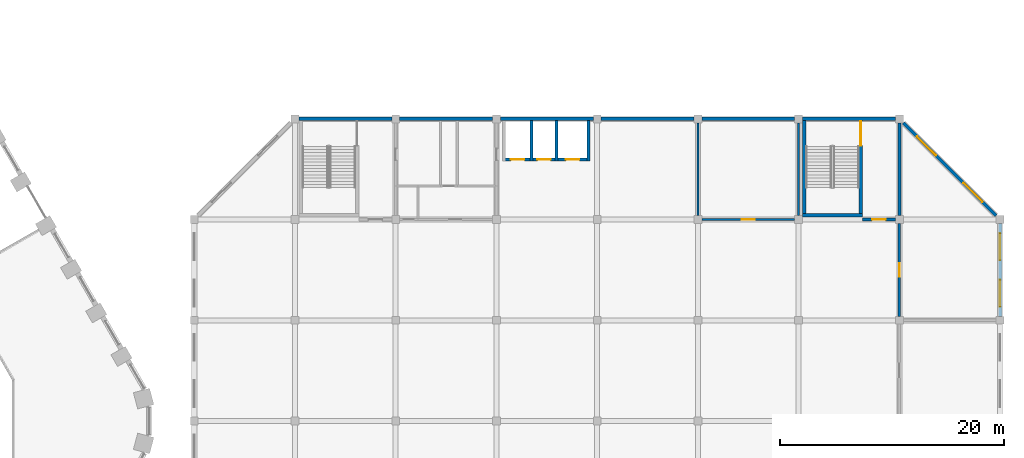
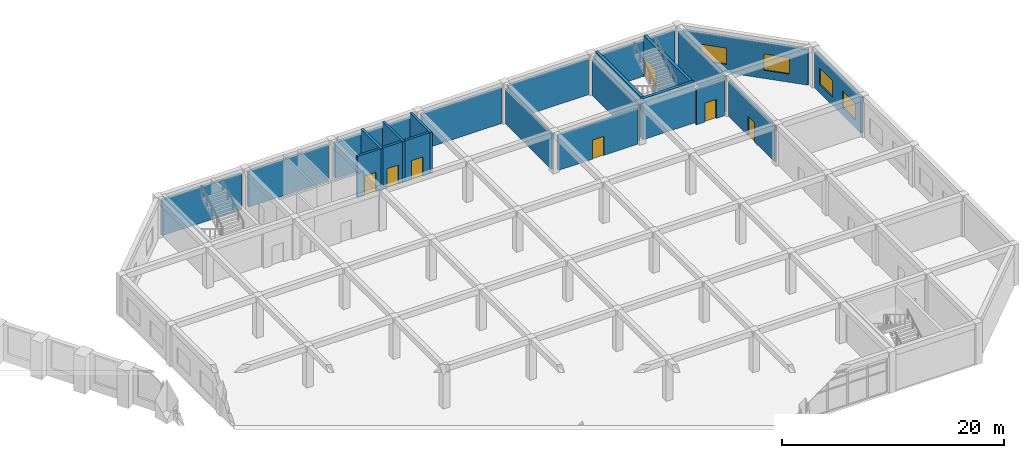
# One storey, part 28 of 42: 21 walls, 7 doors, 4 windows, 11 openings.
"""IFC4 building model written with IfcOpenShell, lengths in metres."""

from ifc_helpers import new_model, si_unit, direction, frame, frame_2d, origin, place, context, subcontext, project, spatial, rectangle, extrude, material, layer, layer_set, type_object, element, fill, save


model = new_model("IFC4")

# Units and contexts
model_context = context("Model", 3, precision=1e-05, world=origin(), true_north=direction((0.0, 1.0)))
body_context = subcontext(model_context, "Body", "Model", "MODEL_VIEW")
ifc_project = project(units=[si_unit("LENGTHUNIT", "METRE"), si_unit("AREAUNIT", "SQUARE_METRE"), si_unit("VOLUMEUNIT", "CUBIC_METRE"), si_unit("PLANEANGLEUNIT", "RADIAN"), si_unit("MASSUNIT", "GRAM", prefix="KILO")], contexts=[model_context])

# Site, building, storey
site_placement = place(None, origin())
site = spatial("IfcSite", under=ifc_project, at=site_placement, CompositionType="ELEMENT")
building_placement = place(site_placement, origin())
building = spatial("IfcBuilding", under=site, at=building_placement, Name="Dhurran Vertical Campus", CompositionType="ELEMENT")
storey_placement = place(building_placement, frame((0.0, 0.0, 6.0)))
storey = spatial("IfcBuildingStorey", under=building, at=storey_placement, Name="L01", CompositionType="ELEMENT", Elevation=6.0)

# Wall, openings, windows
ifc_material_1 = material(Name="Precast concrete C40/50", Category="concrete")
ifc_layer_1 = layer(ifc_material_1, 0.300048828125)
ifc_layer_set_1 = layer_set([ifc_layer_1], Name="Precast concrete C40/50")
wall_type_1 = type_object("IfcWallType", Name="hl-external wall precast 300", PredefinedType="SOLIDWALL", material=ifc_layer_set_1)
wall_1_placement = place(storey_placement, frame((133.5, 9.35009765625, 0.0), z_axis=(0.0, 0.0, 1.0), x_axis=(0.0, 1.0, 0.0)))
wall_1 = element("IfcWall", 1, at=wall_1_placement, inside=storey, type_object=wall_type_1, Name="Hall external wall L01-020", PredefinedType="SOLIDWALL", context=body_context, shape_type="SweptSolid", body=[
    extrude(rectangle(XDim=8.2998046875, YDim=0.300048828125, at=frame_2d((4.14990234375, 0.0))), origin(), (0.0, 0.0, 1.0), 3.89990234375),
])
opening_1_placement = place(wall_1_placement, frame((0.875, 0.0, 0.89990234375)))
opening_1 = element("IfcOpeningElement", 2, at=opening_1_placement, cuts=wall_1, Name="Opening HWN1", PredefinedType="OPENING", context=body_context, shape_type="SweptSolid", body=[
    extrude(rectangle(XDim=2.39990234375, YDim=1.800048828125, at=frame_2d((1.199951171875, 0.89990234375))), frame((0.0, 0.159912109375, 0.0), z_axis=(0.0, -1.0, 0.0), x_axis=(1.0, 0.0, 0.0)), (0.0, 0.0, 1.0), 0.320068359375),
])
opening_2_placement = place(wall_1_placement, frame((5.02490234375, 0.0, 0.89990234375)))
opening_2 = element("IfcOpeningElement", 3, at=opening_2_placement, cuts=wall_1, Name="Opening HWN1", PredefinedType="OPENING", context=body_context, shape_type="SweptSolid", body=[
    extrude(rectangle(XDim=2.39990234375, YDim=1.800048828125, at=frame_2d((1.199951171875, 0.89990234375))), frame((0.0, 0.159912109375, 0.0), z_axis=(0.0, -1.0, 0.0), x_axis=(1.0, 0.0, 0.0)), (0.0, 0.0, 1.0), 0.320068359375),
])
ifc_material_2 = material(Name="Aluminium", Category="aluminium")
window_type = type_object("IfcWindowType", Name="hl-window 2400x1800", PartitioningType="SINGLE_PANEL", PredefinedType="WINDOW", material=ifc_material_2)
window_1_placement = place(opening_1_placement, origin())
window_1 = element("IfcWindow", 4, at=window_1_placement, inside=storey, type_object=window_type, Name="Hall window L01-019", OverallHeight=1.800048828125, OverallWidth=2.39990234375, PartitioningType="SINGLE_PANEL", PredefinedType="WINDOW", context=body_context, shape_type="SweptSolid", body=[
    extrude(rectangle(XDim=2.39990234375, YDim=1.800048828125, at=frame_2d((1.199951171875, 0.89990234375))), frame((0.0, 0.030029296875, 0.0), z_axis=(0.0, -1.0, 0.0), x_axis=(1.0, 0.0, 0.0)), (0.0, 0.0, 1.0), 0.06005859375),
])
fill(opening_1, window_1)
window_2_placement = place(opening_2_placement, origin())
window_2 = element("IfcWindow", 5, at=window_2_placement, inside=storey, type_object=window_type, Name="Hall window L01-020", OverallHeight=1.800048828125, OverallWidth=2.39990234375, PartitioningType="SINGLE_PANEL", PredefinedType="WINDOW", context=body_context, shape_type="SweptSolid", body=[
    extrude(rectangle(XDim=2.39990234375, YDim=1.800048828125, at=frame_2d((1.199951171875, 0.89990234375))), frame((0.0, 0.030029296875, 0.0), z_axis=(0.0, -1.0, 0.0), x_axis=(1.0, 0.0, 0.0)), (0.0, 0.0, 1.0), 0.06005859375),
])
fill(opening_2, window_2)

wall_2_placement = place(storey_placement, frame((133.14990234375, 18.35009765625, 0.0), z_axis=(0.0, 0.0, 1.0), x_axis=(-0.707106781187, 0.707106781187, 0.0)))
wall_2 = element("IfcWall", 6, at=wall_2_placement, inside=storey, type_object=wall_type_1, Name="Hall external wall L01-022", PredefinedType="SOLIDWALL", context=body_context, shape_type="SweptSolid", body=[
    extrude(rectangle(XDim=11.73779296875, YDim=0.300048828125, at=frame_2d((5.868896484375, 0.0))), origin(), (0.0, 0.0, 1.0), 3.89990234375),
])
opening_3_placement = place(wall_2_placement, frame((1.734619140625, 0.0, 0.89990234375)))
opening_3 = element("IfcOpeningElement", 7, at=opening_3_placement, cuts=wall_2, Name="Opening HWN1", PredefinedType="OPENING", context=body_context, shape_type="SweptSolid", body=[
    extrude(rectangle(XDim=2.39990234375, YDim=1.800048828125, at=frame_2d((1.199951171875, 0.89990234375))), frame((0.0, 0.159912109375, 0.0), z_axis=(0.0, -1.0, 0.0), x_axis=(1.0, 0.0, 0.0)), (0.0, 0.0, 1.0), 0.320068359375),
])
opening_4_placement = place(wall_2_placement, frame((7.603515625, 0.0, 0.89990234375)))
opening_4 = element("IfcOpeningElement", 8, at=opening_4_placement, cuts=wall_2, Name="Opening HWN1", PredefinedType="OPENING", context=body_context, shape_type="SweptSolid", body=[
    extrude(rectangle(XDim=2.39990234375, YDim=1.800048828125, at=frame_2d((1.199951171875, 0.89990234375))), frame((0.0, 0.159912109375, 0.0), z_axis=(0.0, -1.0, 0.0), x_axis=(1.0, 0.0, 0.0)), (0.0, 0.0, 1.0), 0.320068359375),
])
window_3_placement = place(opening_3_placement, origin())
window_3 = element("IfcWindow", 9, at=window_3_placement, inside=storey, type_object=window_type, Name="Hall window L01-021", OverallHeight=1.800048828125, OverallWidth=2.39990234375, PartitioningType="SINGLE_PANEL", PredefinedType="WINDOW", context=body_context, shape_type="SweptSolid", body=[
    extrude(rectangle(XDim=2.39990234375, YDim=1.800048828125, at=frame_2d((1.199951171875, 0.89990234375))), frame((0.0, 0.030029296875, 0.0), z_axis=(0.0, -1.0, 0.0), x_axis=(1.0, 0.0, 0.0)), (0.0, 0.0, 1.0), 0.06005859375),
])
fill(opening_3, window_3)
window_4_placement = place(opening_4_placement, origin())
window_4 = element("IfcWindow", 10, at=window_4_placement, inside=storey, type_object=window_type, Name="Hall window L01-022", OverallHeight=1.800048828125, OverallWidth=2.39990234375, PartitioningType="SINGLE_PANEL", PredefinedType="WINDOW", context=body_context, shape_type="SweptSolid", body=[
    extrude(rectangle(XDim=2.39990234375, YDim=1.800048828125, at=frame_2d((1.199951171875, 0.89990234375))), frame((0.0, 0.030029296875, 0.0), z_axis=(0.0, -1.0, 0.0), x_axis=(1.0, 0.0, 0.0)), (0.0, 0.0, 1.0), 0.06005859375),
])
fill(opening_4, window_4)

# Walls
for number, where, z_axis, x_axis, name in (
    (11, (115.14990234375, 27.0, 0.0), (0.0, 0.0, 1.0), (-1.0, 0.0, 0.0), "Hall external wall L01-026"),
    (12, (106.14990234375, 27.0, 0.0), (0.0, 0.0, 1.0), (-1.0, 0.0, 0.0), "Hall external wall L01-028"),
    (13, (97.14990234375, 27.0, 0.0), (0.0, 0.0, 1.0), (-1.0, 0.0, 0.0), "Hall external wall L01-030"),
    (14, (88.14990234375, 27.0, 0.0), (0.0, 0.0, 1.0), (-1.0, 0.0, 0.0), "Hall external wall L01-032"),
):
    element("IfcWall", number, at=place(storey_placement, frame(where, z_axis=z_axis, x_axis=x_axis)), inside=storey, type_object=wall_type_1, Name=name, PredefinedType="SOLIDWALL", context=body_context, shape_type="SweptSolid", body=[
        extrude(rectangle(XDim=8.2998046875, YDim=0.300048828125, at=frame_2d((4.14990234375, 0.0))), origin(), (0.0, 0.0, 1.0), 3.89990234375),
    ])
ifc_material_3 = material(Name="Precast concrete C40/50", Category="concrete")
ifc_layer_2 = layer(ifc_material_3, 0.300048828125)
ifc_layer_set_2 = layer_set([ifc_layer_2], Name="Precast concrete C40/50")
wall_type_2 = type_object("IfcWallType", Name="hl-external wall precast 300 EI 120", PredefinedType="SOLIDWALL", material=ifc_layer_set_2)
for number, where, z_axis, x_axis, name in (
    (15, (124.14990234375, 27.0, 0.0), (0.0, 0.0, 1.0), (-1.0, 0.0, 0.0), "Hall external wall L01-024"),
    (16, (79.14990234375, 27.0, 0.0), (0.0, 0.0, 1.0), (-1.0, 0.0, 0.0), "Hall external wall L01-034"),
):
    element("IfcWall", number, at=place(storey_placement, frame(where, z_axis=z_axis, x_axis=x_axis)), inside=storey, type_object=wall_type_2, Name=name, PredefinedType="SOLIDWALL", context=body_context, shape_type="SweptSolid", body=[
        extrude(rectangle(XDim=8.2998046875, YDim=0.300048828125, at=frame_2d((4.14990234375, 0.0))), origin(), (0.0, 0.0, 1.0), 3.89990234375),
    ])
ifc_material_4 = material(Name="Concrete C40/50", Category="concrete")
ifc_layer_3 = layer(ifc_material_4, 0.25)
ifc_layer_set_3 = layer_set([ifc_layer_3], Name="Concrete C40/50")
wall_type_3 = type_object("IfcWallType", Name="hl-lift shaft wall 250", PredefinedType="SHEAR", material=ifc_layer_set_3)
for number, where, z_axis, x_axis, name in (
    (17, (91.625, 23.25, 0.0), (0.0, 0.0, 1.0), (0.0, 1.0, 0.0), "Lift shaft wall V1 L01"),
    (18, (93.875, 23.25, 0.0), (0.0, 0.0, 1.0), (0.0, 1.0, 0.0), "Lift shaft wall V2 L01"),
    (19, (96.72509765625, 23.25, 0.0), (0.0, 0.0, 1.0), (0.0, 1.0, 0.0), "Lift shaft wall V3 L01"),
):
    element("IfcWall", number, at=place(storey_placement, frame(where, z_axis=z_axis, x_axis=x_axis)), inside=storey, type_object=wall_type_3, Name=name, PredefinedType="SHEAR", context=body_context, shape_type="SweptSolid", body=[
        extrude(rectangle(XDim=3.60009765625, YDim=0.25, at=frame_2d((1.800048828125, 0.0))), origin(), (0.0, 0.0, 1.0), 4.52001953125),
    ])

# Wall, openings, doors
wall_3_placement = place(storey_placement, frame((89.050048828125, 23.375, 0.0), z_axis=(0.0, 0.0, 1.0), x_axis=(1.0, 0.0, 0.0)))
wall_3 = element("IfcWall", 20, at=wall_3_placement, inside=storey, type_object=wall_type_3, Name="Lift shaft front wall L01", PredefinedType="SHEAR", context=body_context, shape_type="SweptSolid", body=[
    extrude(rectangle(XDim=7.800048828125, YDim=0.25, at=frame_2d((3.89990234375, 0.0))), origin(), (0.0, 0.0, 1.0), 4.52001953125),
])
opening_5_placement = place(wall_3_placement, frame((0.75, 0.0, 0.0)))
opening_5 = element("IfcOpeningElement", 21, at=opening_5_placement, cuts=wall_3, Name="Opening LD", PredefinedType="OPENING", context=body_context, shape_type="SweptSolid", body=[
    extrude(rectangle(XDim=1.199951171875, YDim=2.10009765625, at=frame_2d((0.60009765625, 1.050048828125))), frame((0.0, 0.135009765625, 0.0), z_axis=(0.0, -1.0, 0.0), x_axis=(1.0, 0.0, 0.0)), (0.0, 0.0, 1.0), 0.27001953125),
])
opening_6_placement = place(wall_3_placement, frame((3.10009765625, 0.0, 0.0)))
opening_6 = element("IfcOpeningElement", 22, at=opening_6_placement, cuts=wall_3, Name="Opening LD", PredefinedType="OPENING", context=body_context, shape_type="SweptSolid", body=[
    extrude(rectangle(XDim=1.199951171875, YDim=2.10009765625, at=frame_2d((0.60009765625, 1.050048828125))), frame((0.0, 0.135009765625, 0.0), z_axis=(0.0, -1.0, 0.0), x_axis=(1.0, 0.0, 0.0)), (0.0, 0.0, 1.0), 0.27001953125),
])
opening_7_placement = place(wall_3_placement, frame((5.64990234375, 0.0, 0.0)))
opening_7 = element("IfcOpeningElement", 23, at=opening_7_placement, cuts=wall_3, Name="Opening LD", PredefinedType="OPENING", context=body_context, shape_type="SweptSolid", body=[
    extrude(rectangle(XDim=1.199951171875, YDim=2.10009765625, at=frame_2d((0.60009765625, 1.050048828125))), frame((0.0, 0.135009765625, 0.0), z_axis=(0.0, -1.0, 0.0), x_axis=(1.0, 0.0, 0.0)), (0.0, 0.0, 1.0), 0.27001953125),
])
ifc_material_5 = material(Name="Stainless steel landing door", Category="steel")
door_type_1 = type_object("IfcDoorType", Name="co-D-LANDING 1200x2100", OperationType="DOUBLE_DOOR_SLIDING", PredefinedType="DOOR", material=ifc_material_5)
door_1_placement = place(opening_5_placement, origin())
door_1 = element("IfcDoor", 24, at=door_1_placement, inside=storey, type_object=door_type_1, Name="Landing door HLF1 L01", OperationType="DOUBLE_DOOR_SLIDING", OverallHeight=2.10009765625, OverallWidth=1.199951171875, PredefinedType="DOOR", context=body_context, shape_type="SweptSolid", body=[
    extrude(rectangle(XDim=1.199951171875, YDim=2.10009765625, at=frame_2d((0.60009765625, 1.050048828125))), frame((0.0, 0.02490234375, 0.0), z_axis=(0.0, -1.0, 0.0), x_axis=(1.0, 0.0, 0.0)), (0.0, 0.0, 1.0), 0.050048828125),
])
fill(opening_5, door_1)
door_2_placement = place(opening_6_placement, origin())
door_2 = element("IfcDoor", 25, at=door_2_placement, inside=storey, type_object=door_type_1, Name="Landing door HLF2 L01", OperationType="DOUBLE_DOOR_SLIDING", OverallHeight=2.10009765625, OverallWidth=1.199951171875, PredefinedType="DOOR", context=body_context, shape_type="SweptSolid", body=[
    extrude(rectangle(XDim=1.199951171875, YDim=2.10009765625, at=frame_2d((0.60009765625, 1.050048828125))), frame((0.0, 0.02490234375, 0.0), z_axis=(0.0, -1.0, 0.0), x_axis=(1.0, 0.0, 0.0)), (0.0, 0.0, 1.0), 0.050048828125),
])
fill(opening_6, door_2)
door_3_placement = place(opening_7_placement, origin())
door_3 = element("IfcDoor", 26, at=door_3_placement, inside=storey, type_object=door_type_1, Name="Landing door HLF3 L01", OperationType="DOUBLE_DOOR_SLIDING", OverallHeight=2.10009765625, OverallWidth=1.199951171875, PredefinedType="DOOR", context=body_context, shape_type="SweptSolid", body=[
    extrude(rectangle(XDim=1.199951171875, YDim=2.10009765625, at=frame_2d((0.60009765625, 1.050048828125))), frame((0.0, 0.02490234375, 0.0), z_axis=(0.0, -1.0, 0.0), x_axis=(1.0, 0.0, 0.0)), (0.0, 0.0, 1.0), 0.050048828125),
])
fill(opening_7, door_3)

# Wall
ifc_material_6 = material(Name="Masonry blockwork", Category="masonry")
ifc_layer_4 = layer(ifc_material_6, 0.199951171875)
ifc_layer_set_4 = layer_set([ifc_layer_4], Name="Masonry blockwork")
wall_type_4 = type_object("IfcWallType", Name="hl-partition blockwork 200 EI 60", PredefinedType="PARTITIONING", material=ifc_layer_set_4)
wall_4_placement = place(storey_placement, frame((106.5, 18.35009765625, 0.0), z_axis=(0.0, 0.0, 1.0), x_axis=(0.0, 1.0, 0.0)))
element("IfcWall", 27, at=wall_4_placement, inside=storey, type_object=wall_type_4, Name="Hall partition L01-017", PredefinedType="PARTITIONING", context=body_context, shape_type="SweptSolid", body=[
    extrude(rectangle(XDim=8.2998046875, YDim=0.199951171875, at=frame_2d((4.14990234375, 0.0))), origin(), (0.0, 0.0, 1.0), 3.89990234375),
])

# Wall, opening, door
wall_5_placement = place(storey_placement, frame((106.85009765625, 18.0, 0.0), z_axis=(0.0, 0.0, 1.0), x_axis=(1.0, 0.0, 0.0)))
wall_5 = element("IfcWall", 28, at=wall_5_placement, inside=storey, type_object=wall_type_4, Name="Hall partition L01-018", PredefinedType="PARTITIONING", context=body_context, shape_type="SweptSolid", body=[
    extrude(rectangle(XDim=8.2998046875, YDim=0.199951171875, at=frame_2d((4.14990234375, 0.0))), origin(), (0.0, 0.0, 1.0), 3.89990234375),
])
opening_8_placement = place(wall_5_placement, frame((3.550048828125, 0.0, 0.0)))
opening_8 = element("IfcOpeningElement", 29, at=opening_8_placement, cuts=wall_5, Name="Opening HD110", PredefinedType="OPENING", context=body_context, shape_type="SweptSolid", body=[
    extrude(rectangle(XDim=1.199951171875, YDim=2.10009765625, at=frame_2d((0.60009765625, 1.050048828125))), frame((0.0, 0.10986328125, 0.0), z_axis=(0.0, -1.0, 0.0), x_axis=(1.0, 0.0, 0.0)), (0.0, 0.0, 1.0), 0.219970703125),
])
ifc_material_7 = material(Name="Fire-rated steel door set", Category="steel")
door_type_2 = type_object("IfcDoorType", Name="hl-door 1200x2100 single FD30S", OperationType="NOTDEFINED", PredefinedType="DOOR", material=ifc_material_7)
door_4_placement = place(opening_8_placement, origin())
door_4 = element("IfcDoor", 30, at=door_4_placement, inside=storey, type_object=door_type_2, Name="Door HD110", OperationType="SINGLE_SWING_RIGHT", OverallHeight=2.10009765625, OverallWidth=1.199951171875, PredefinedType="DOOR", context=body_context, shape_type="SweptSolid", body=[
    extrude(rectangle(XDim=1.199951171875, YDim=2.10009765625, at=frame_2d((0.60009765625, 1.050048828125))), frame((0.0, 0.02490234375, 0.0), z_axis=(0.0, -1.0, 0.0), x_axis=(1.0, 0.0, 0.0)), (0.0, 0.0, 1.0), 0.050048828125),
])
fill(opening_8, door_4)

# Wall
wall_6_placement = place(storey_placement, frame((115.5, 18.35009765625, 0.0), z_axis=(0.0, 0.0, 1.0), x_axis=(0.0, 1.0, 0.0)))
element("IfcWall", 31, at=wall_6_placement, inside=storey, type_object=wall_type_4, Name="Hall partition L01-019", PredefinedType="PARTITIONING", context=body_context, shape_type="SweptSolid", body=[
    extrude(rectangle(XDim=8.2998046875, YDim=0.199951171875, at=frame_2d((4.14990234375, 0.0))), origin(), (0.0, 0.0, 1.0), 3.89990234375),
])

# Wall, opening, door
wall_7_placement = place(storey_placement, frame((124.5, 9.35009765625, 0.0), z_axis=(0.0, 0.0, 1.0), x_axis=(0.0, 1.0, 0.0)))
wall_7 = element("IfcWall", 32, at=wall_7_placement, inside=storey, type_object=wall_type_4, Name="Hall partition L01-027", PredefinedType="PARTITIONING", context=body_context, shape_type="SweptSolid", body=[
    extrude(rectangle(XDim=8.2998046875, YDim=0.199951171875, at=frame_2d((4.14990234375, 0.0))), origin(), (0.0, 0.0, 1.0), 3.89990234375),
])
opening_9_placement = place(wall_7_placement, frame((3.550048828125, 0.0, 0.0)))
opening_9 = element("IfcOpeningElement", 33, at=opening_9_placement, cuts=wall_7, Name="Opening HD114", PredefinedType="OPENING", context=body_context, shape_type="SweptSolid", body=[
    extrude(rectangle(XDim=1.199951171875, YDim=2.10009765625, at=frame_2d((0.60009765625, 1.050048828125))), frame((0.0, 0.10986328125, 0.0), z_axis=(0.0, -1.0, 0.0), x_axis=(1.0, 0.0, 0.0)), (0.0, 0.0, 1.0), 0.219970703125),
])
door_5_placement = place(opening_9_placement, origin())
door_5 = element("IfcDoor", 34, at=door_5_placement, inside=storey, type_object=door_type_2, Name="Door HD114", OperationType="SINGLE_SWING_RIGHT", OverallHeight=2.10009765625, OverallWidth=1.199951171875, PredefinedType="DOOR", context=body_context, shape_type="SweptSolid", body=[
    extrude(rectangle(XDim=1.199951171875, YDim=2.10009765625, at=frame_2d((0.60009765625, 1.050048828125))), frame((0.0, 0.02490234375, 0.0), z_axis=(0.0, -1.0, 0.0), x_axis=(1.0, 0.0, 0.0)), (0.0, 0.0, 1.0), 0.050048828125),
])
fill(opening_9, door_5)

ifc_material_8 = material(Name="Masonry blockwork", Category="masonry")
ifc_layer_5 = layer(ifc_material_8, 0.25)
ifc_layer_set_5 = layer_set([ifc_layer_5], Name="Masonry blockwork")
wall_type_5 = type_object("IfcWallType", Name="hl-partition blockwork 250 EI 120", PredefinedType="PARTITIONING", material=ifc_layer_set_5)
wall_8_placement = place(storey_placement, frame((121.199951171875, 18.0, 0.0), z_axis=(0.0, 0.0, 1.0), x_axis=(1.0, 0.0, 0.0)))
wall_8 = element("IfcWall", 35, at=wall_8_placement, inside=storey, type_object=wall_type_5, Name="Hall partition L01-021", PredefinedType="PARTITIONING", context=body_context, shape_type="SweptSolid", body=[
    extrude(rectangle(XDim=2.949951171875, YDim=0.25, at=frame_2d((1.47509765625, 0.0))), origin(), (0.0, 0.0, 1.0), 3.89990234375),
])
opening_10_placement = place(wall_8_placement, frame((0.875, 0.0, 0.0)))
opening_10 = element("IfcOpeningElement", 36, at=opening_10_placement, cuts=wall_8, Name="Opening HD104", PredefinedType="OPENING", context=body_context, shape_type="SweptSolid", body=[
    extrude(rectangle(XDim=1.199951171875, YDim=2.10009765625, at=frame_2d((0.60009765625, 1.050048828125))), frame((0.0, 0.135009765625, 0.0), z_axis=(0.0, -1.0, 0.0), x_axis=(1.0, 0.0, 0.0)), (0.0, 0.0, 1.0), 0.27001953125),
])
ifc_material_9 = material(Name="Fire-rated steel door set", Category="steel")
door_type_3 = type_object("IfcDoorType", Name="hl-door 1200x2100 single FD90", OperationType="NOTDEFINED", PredefinedType="DOOR", material=ifc_material_9)
door_6_placement = place(opening_10_placement, origin())
door_6 = element("IfcDoor", 37, at=door_6_placement, inside=storey, type_object=door_type_3, Name="Door HD104", OperationType="SINGLE_SWING_RIGHT", OverallHeight=2.10009765625, OverallWidth=1.199951171875, PredefinedType="DOOR", context=body_context, shape_type="SweptSolid", body=[
    extrude(rectangle(XDim=1.199951171875, YDim=2.10009765625, at=frame_2d((0.60009765625, 1.050048828125))), frame((0.0, 0.02490234375, 0.0), z_axis=(0.0, -1.0, 0.0), x_axis=(1.0, 0.0, 0.0)), (0.0, 0.0, 1.0), 0.050048828125),
])
fill(opening_10, door_6)

# Walls
wall_9_placement = place(storey_placement, frame((124.5, 18.35009765625, 0.0), z_axis=(0.0, 0.0, 1.0), x_axis=(0.0, 1.0, 0.0)))
element("IfcWall", 38, at=wall_9_placement, inside=storey, type_object=wall_type_5, Name="Hall partition L01-029", PredefinedType="PARTITIONING", context=body_context, shape_type="SweptSolid", body=[
    extrude(rectangle(XDim=8.2998046875, YDim=0.25, at=frame_2d((4.14990234375, 0.0))), origin(), (0.0, 0.0, 1.0), 3.89990234375),
])
ifc_material_10 = material(Name="Concrete C40/50", Category="concrete")
ifc_layer_6 = layer(ifc_material_10, 0.300048828125)
ifc_layer_set_6 = layer_set([ifc_layer_6], Name="Concrete C40/50")
wall_type_6 = type_object("IfcWallType", Name="hl-stair shaft wall 300", PredefinedType="SHEAR", material=ifc_layer_set_6)
wall_10_placement = place(storey_placement, frame((116.0, 26.85009765625, 0.0), z_axis=(0.0, 0.0, 1.0), x_axis=(0.0, -1.0, 0.0)))
element("IfcWall", 39, at=wall_10_placement, inside=storey, type_object=wall_type_6, Name="Stair shaft wall HST2 W L01", PredefinedType="SHEAR", context=body_context, shape_type="SweptSolid", body=[
    extrude(rectangle(XDim=8.300048828125, YDim=0.300048828125, at=frame_2d((4.14990234375, 0.0))), origin(), (0.0, 0.0, 1.0), 4.52001953125),
])

# Wall, opening, door
wall_11_placement = place(storey_placement, frame((121.050048828125, 26.85009765625, 0.0), z_axis=(0.0, 0.0, 1.0), x_axis=(0.0, -1.0, 0.0)))
wall_11 = element("IfcWall", 40, at=wall_11_placement, inside=storey, type_object=wall_type_6, Name="Stair shaft wall HST2 E L01", PredefinedType="SHEAR", context=body_context, shape_type="SweptSolid", body=[
    extrude(rectangle(XDim=8.300048828125, YDim=0.300048828125, at=frame_2d((4.14990234375, 0.0))), origin(), (0.0, 0.0, 1.0), 4.52001953125),
])
opening_11_placement = place(wall_11_placement, frame((0.050048828125, 0.0, 0.0)))
opening_11 = element("IfcOpeningElement", 41, at=opening_11_placement, cuts=wall_11, Name="Opening HDS12", PredefinedType="OPENING", context=body_context, shape_type="SweptSolid", body=[
    extrude(rectangle(XDim=2.199951171875, YDim=2.10009765625, at=frame_2d((1.10009765625, 1.050048828125))), frame((0.0, 0.159912109375, 0.0), z_axis=(0.0, -1.0, 0.0), x_axis=(1.0, 0.0, 0.0)), (0.0, 0.0, 1.0), 0.320068359375),
])
ifc_material_11 = material(Name="Fire-rated steel door set", Category="steel")
door_type_4 = type_object("IfcDoorType", Name="hl-door 2200x2100 double FD90", OperationType="NOTDEFINED", PredefinedType="DOOR", material=ifc_material_11)
door_7_placement = place(opening_11_placement, origin())
door_7 = element("IfcDoor", 42, at=door_7_placement, inside=storey, type_object=door_type_4, Name="Door HDS12", OperationType="DOUBLE_DOOR_SINGLE_SWING", OverallHeight=2.10009765625, OverallWidth=2.199951171875, PredefinedType="DOOR", context=body_context, shape_type="SweptSolid", body=[
    extrude(rectangle(XDim=2.199951171875, YDim=2.10009765625, at=frame_2d((1.10009765625, 1.050048828125))), frame((0.0, 0.02490234375, 0.0), z_axis=(0.0, -1.0, 0.0), x_axis=(1.0, 0.0, 0.0)), (0.0, 0.0, 1.0), 0.050048828125),
])
fill(opening_11, door_7)

# Wall
wall_12_placement = place(storey_placement, frame((115.85009765625, 18.39990234375, 0.0), z_axis=(0.0, 0.0, 1.0), x_axis=(1.0, 0.0, 0.0)))
element("IfcWall", 43, at=wall_12_placement, inside=storey, type_object=wall_type_6, Name="Stair shaft wall HST2 F L01", PredefinedType="SHEAR", context=body_context, shape_type="SweptSolid", body=[
    extrude(rectangle(XDim=5.349853515625, YDim=0.300048828125, at=frame_2d((2.6748046875, 0.0))), origin(), (0.0, 0.0, 1.0), 4.52001953125),
])

save(model, "model.ifc")
